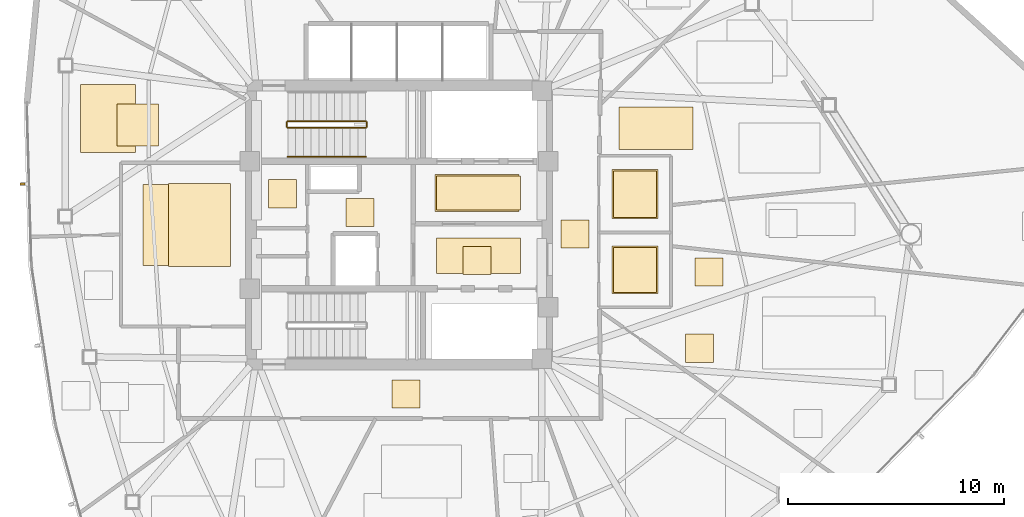
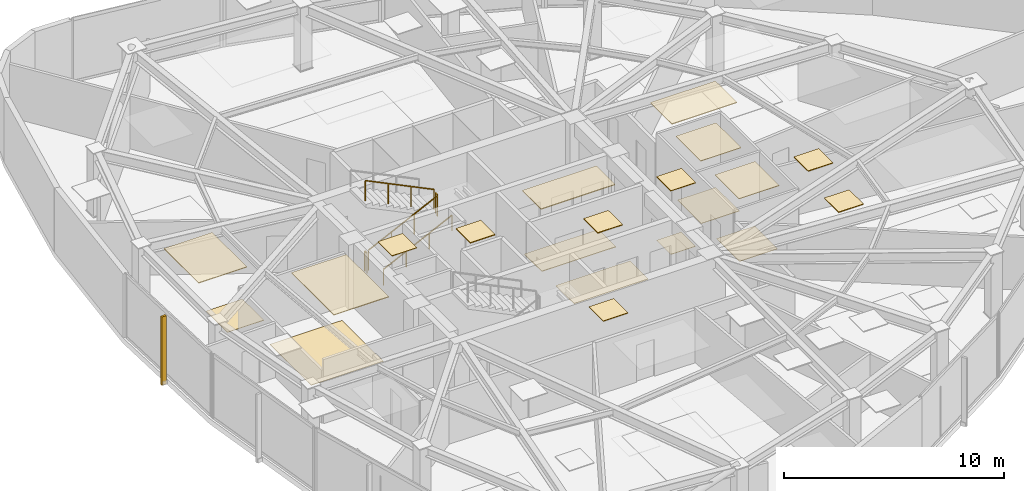
# One storey, part 16 of 18: 20 coverings, 5 railings, 1 shading device.
"""IFC4 building model written with IfcOpenShell, lengths in metres."""

from ifc_helpers import new_model, si_unit, direction, frame, origin, origin_2d, place, context, subcontext, project, spatial, polyline, rectangle, outline, extrude, source, transform, mapped, material, layer, layer_set, type_object, type_shapes, element, save


model = new_model("IFC4")

# Units and contexts
model_context = context("Model", 3, precision=1e-05, world=origin(), true_north=direction((0.0, 1.0)))
body_context = subcontext(model_context, "Body", "Model", "MODEL_VIEW")
ifc_project = project(units=[si_unit("LENGTHUNIT", "METRE"), si_unit("AREAUNIT", "SQUARE_METRE"), si_unit("VOLUMEUNIT", "CUBIC_METRE"), si_unit("PLANEANGLEUNIT", "RADIAN"), si_unit("MASSUNIT", "GRAM", prefix="KILO")], contexts=[model_context])

# Site, building, storey
site_placement = place(None, origin())
site = spatial("IfcSite", under=ifc_project, at=site_placement, CompositionType="ELEMENT")
building_placement = place(site_placement, origin())
building = spatial("IfcBuilding", under=site, at=building_placement, Name="Tavelor Broadcast Tower", CompositionType="ELEMENT")
storey_placement = place(building_placement, frame((0.0, 0.0, 181.050048828125)))
storey = spatial("IfcBuildingStorey", under=building, at=storey_placement, Name="L43", CompositionType="ELEMENT", Elevation=181.050048828125)

# Coverings
ifc_material_1 = material(Name="Copper-Bronze Anodized Aluminium", Category="aluminium")
ifc_layer_1 = layer(ifc_material_1, 0.044921875)
ifc_layer_set_1 = layer_set([ifc_layer_1], Name="Copper-Bronze Anodized Aluminium")
covering_type_1 = type_object("IfcCoveringType", Name="Anodised Bronze Linear Slatted Concourse Ceiling 45 mm", PredefinedType="CEILING", material=ifc_layer_set_1)
covering_1_placement = place(storey_placement, frame((0.0, 0.0, 3.5048828125)))
element("IfcCovering", 1, at=covering_1_placement, inside=storey, type_object=covering_type_1, Name="L43 Suspended Acoustic Ceiling 1781", PredefinedType="CEILING", context=body_context, shape_type="SweptSolid", body=[
    extrude(outline(polyline([(51.659912109375, 45.6318359375), (55.55712890625, 45.6318359375), (55.55712890625, 47.328125), (51.659912109375, 47.328125), (51.659912109375, 45.6318359375)])), origin(), (0.0, 0.0, 1.0), 0.045166015625),
])
covering_2_placement = place(storey_placement, frame((0.0, 0.0, 3.5048828125)))
element("IfcCovering", 2, at=covering_2_placement, inside=storey, type_object=covering_type_1, Name="L43 Suspended Acoustic Ceiling 1782", PredefinedType="CEILING", context=body_context, shape_type="SweptSolid", body=[
    extrude(outline(polyline([(52.95361328125, 42.705078125), (54.25341796875, 42.705078125), (54.25341796875, 44.0048828125), (52.95361328125, 44.0048828125), (52.95361328125, 42.705078125)])), origin(), (0.0, 0.0, 1.0), 0.045166015625),
])
covering_3_placement = place(storey_placement, frame((0.0, 0.0, 3.5048828125)))
element("IfcCovering", 3, at=covering_3_placement, inside=storey, type_object=covering_type_1, Name="L43 Suspended Acoustic Ceiling 1783", PredefinedType="CEILING", context=body_context, shape_type="SweptSolid", body=[
    extrude(outline(polyline([(47.544921875, 44.919921875), (48.844970703125, 44.919921875), (48.844970703125, 46.219970703125), (47.544921875, 46.219970703125), (47.544921875, 44.919921875)])), origin(), (0.0, 0.0, 1.0), 0.045166015625),
])

# Railing
ifc_material_2 = material(Name="Steel S355", Category="steel")
railing_type_1 = type_object("IfcRailingType", Name="Continuous Brushed Stainless Handrail 900 mm", PredefinedType="HANDRAIL", material=ifc_material_2)
railing_1_placement = place(storey_placement, frame((44.85009765625, 48.14990234375, 0.175048828125)))
element("IfcRailing", 4, at=railing_1_placement, inside=storey, type_object=railing_type_1, Name="L43 ST1 stair handrail 1", PredefinedType="HANDRAIL", context=body_context, shape_type="SweptSolid", body=[
    extrude(rectangle(XDim=0.048095703125, YDim=0.048095703125, at=origin_2d()), frame((0.0, 0.0, 0.8759765625), z_axis=(0.899360859046, 0.0, 0.437207096483), x_axis=(0.0, 1.0, 0.0)), (0.0, 0.0, 1.0), 4.002685546875),
    extrude(rectangle(XDim=0.0419921875, YDim=0.0419921875, at=origin_2d()), origin(), (0.0, 0.0, 1.0), 0.851806640625),
    extrude(rectangle(XDim=0.0419921875, YDim=0.0419921875, at=origin_2d()), frame((1.199951171875, 0.0, 0.583251953125)), (0.0, 0.0, 1.0), 0.851806640625),
    extrude(rectangle(XDim=0.0419921875, YDim=0.0419921875, at=origin_2d()), frame((2.39990234375, 0.0, 1.166748046875)), (0.0, 0.0, 1.0), 0.851806640625),
    extrude(rectangle(XDim=0.0419921875, YDim=0.0419921875, at=origin_2d()), frame((3.599853515625, 0.0, 1.75)), (0.0, 0.0, 1.0), 0.851806640625),
])

# Coverings
ifc_material_3 = material(Name="Architectural Anodized Aluminium", Category="aluminium")
ifc_layer_2 = layer(ifc_material_3, 0.034912109375)
ifc_layer_set_2 = layer_set([ifc_layer_2], Name="Architectural Anodized Aluminium")
covering_type_2 = type_object("IfcCoveringType", Name="Demountable Metal Tile Corridor Ceiling 35 mm", PredefinedType="CEILING", material=ifc_layer_set_2)
covering_4_placement = place(storey_placement, frame((0.0, 0.0, 3.514892578125)))
element("IfcCovering", 5, at=covering_4_placement, inside=storey, type_object=covering_type_2, Name="L43 Suspended Acoustic Ceiling 1785", PredefinedType="CEILING", context=body_context, shape_type="SweptSolid", body=[
    extrude(outline(polyline([(57.489990234375, 43.925048828125), (58.7900390625, 43.925048828125), (58.7900390625, 45.22509765625), (57.489990234375, 45.22509765625), (57.489990234375, 43.925048828125)])), origin(), (0.0, 0.0, 1.0), 0.03515625),
])
covering_5_placement = place(storey_placement, frame((0.0, 0.0, 3.514892578125)))
element("IfcCovering", 6, at=covering_5_placement, inside=storey, type_object=covering_type_2, Name="L43 Suspended Acoustic Ceiling 1786", PredefinedType="CEILING", context=body_context, shape_type="SweptSolid", body=[
    extrude(outline(polyline([(49.6748046875, 36.52490234375), (50.974609375, 36.52490234375), (50.974609375, 37.824951171875), (49.6748046875, 37.824951171875), (49.6748046875, 36.52490234375)])), origin(), (0.0, 0.0, 1.0), 0.03515625),
])
ifc_material_4 = material(Name="Acoustic Nylon Carpet Tile")
ifc_layer_3 = layer(ifc_material_4, 0.02001953125)
ifc_layer_set_3 = layer_set([ifc_layer_3], Name="Acoustic Nylon Carpet Tile")
covering_type_3 = type_object("IfcCoveringType", Name="Heavy-Duty Acoustic Broadcast Carpet Tile 20 mm", PredefinedType="FLOORING", material=ifc_layer_set_3)
covering_6_placement = place(storey_placement, origin())
element("IfcCovering", 7, at=covering_6_placement, inside=storey, type_object=covering_type_3, Name="L43 Broadcast Floor Finish 0636", PredefinedType="FLOORING", context=body_context, shape_type="SweptSolid", body=[
    extrude(outline(polyline([(57.489990234375, 43.925048828125), (58.7900390625, 43.925048828125), (58.7900390625, 45.22509765625), (57.489990234375, 45.22509765625), (57.489990234375, 43.925048828125)])), origin(), (0.0, 0.0, 1.0), 0.02001953125),
])
covering_7_placement = place(storey_placement, origin())
element("IfcCovering", 8, at=covering_7_placement, inside=storey, type_object=covering_type_3, Name="L43 Broadcast Floor Finish 0637", PredefinedType="FLOORING", context=body_context, shape_type="SweptSolid", body=[
    extrude(outline(polyline([(38.15771484375, 43.12890625), (41.942138671875, 43.12890625), (41.942138671875, 46.87060546875), (38.15771484375, 46.87060546875), (38.15771484375, 43.12890625)])), origin(), (0.0, 0.0, 1.0), 0.02001953125),
])
covering_8_placement = place(storey_placement, origin())
element("IfcCovering", 9, at=covering_8_placement, inside=storey, type_object=covering_type_3, Name="L43 Broadcast Floor Finish 0645", PredefinedType="FLOORING", context=body_context, shape_type="SweptSolid", body=[
    extrude(outline(polyline([(36.96044921875, 48.655029296875), (38.8662109375, 48.655029296875), (38.8662109375, 50.59619140625), (36.96044921875, 50.59619140625), (36.96044921875, 48.655029296875)])), origin(), (0.0, 0.0, 1.0), 0.02001953125),
])
ifc_material_5 = material(Name="Honed Natural Limestone Tile", Category="masonry")
ifc_layer_4 = layer(ifc_material_5, 0.030029296875)
ifc_layer_set_4 = layer_set([ifc_layer_4], Name="Honed Natural Limestone Tile")
covering_type_4 = type_object("IfcCoveringType", Name="Honed Jerusalem Limestone Concourse Flooring 30 mm", PredefinedType="FLOORING", material=ifc_layer_set_4)
covering_9_placement = place(storey_placement, origin())
element("IfcCovering", 10, at=covering_9_placement, inside=storey, type_object=covering_type_4, Name="L43 Broadcast Floor Finish 0634", PredefinedType="FLOORING", context=body_context, shape_type="SweptSolid", body=[
    extrude(outline(polyline([(51.7373046875, 45.689453125), (55.62255859375, 45.689453125), (55.62255859375, 47.2705078125), (51.7373046875, 47.2705078125), (51.7373046875, 45.689453125)])), origin(), (0.0, 0.0, 1.0), 0.030029296875),
])
covering_10_placement = place(storey_placement, origin())
element("IfcCovering", 11, at=covering_10_placement, inside=storey, type_object=covering_type_4, Name="L43 Broadcast Floor Finish 0635", PredefinedType="FLOORING", context=body_context, shape_type="SweptSolid", body=[
    extrude(outline(polyline([(51.728759765625, 42.743408203125), (55.62109375, 42.743408203125), (55.62109375, 44.396484375), (51.728759765625, 44.396484375), (51.728759765625, 42.743408203125)])), origin(), (0.0, 0.0, 1.0), 0.030029296875),
])
ifc_layer_5 = layer(ifc_material_3, 0.030029296875)
ifc_layer_set_5 = layer_set([ifc_layer_5], Name="Architectural Anodized Aluminium")
covering_type_5 = type_object("IfcCoveringType", Name="Moisture-Resistant Washroom Ceiling 30 mm", PredefinedType="CEILING", material=ifc_layer_set_5)
covering_11_placement = place(storey_placement, frame((0.0, 0.0, 3.52001953125)))
element("IfcCovering", 12, at=covering_11_placement, inside=storey, type_object=covering_type_5, Name="L43 Suspended Acoustic Ceiling 1784", PredefinedType="CEILING", context=body_context, shape_type="SweptSolid", body=[
    extrude(outline(polyline([(43.951416015625, 45.794921875), (45.25146484375, 45.794921875), (45.25146484375, 47.094970703125), (43.951416015625, 47.094970703125), (43.951416015625, 45.794921875)])), origin(), (0.0, 0.0, 1.0), 0.030029296875),
])
covering_12_placement = place(storey_placement, frame((0.0, 0.0, 3.52001953125)))
element("IfcCovering", 13, at=covering_12_placement, inside=storey, type_object=covering_type_5, Name="L43 Suspended Acoustic Ceiling 1788", PredefinedType="CEILING", context=body_context, shape_type="SweptSolid", body=[
    extrude(outline(polyline([(59.85302734375, 41.828369140625), (61.967041015625, 41.828369140625), (61.967041015625, 44.021484375), (59.85302734375, 44.021484375), (59.85302734375, 41.828369140625)])), origin(), (0.0, 0.0, 1.0), 0.030029296875),
])
covering_13_placement = place(storey_placement, frame((0.0, 0.0, 3.52001953125)))
element("IfcCovering", 14, at=covering_13_placement, inside=storey, type_object=covering_type_5, Name="L43 Suspended Acoustic Ceiling 1789", PredefinedType="CEILING", context=body_context, shape_type="SweptSolid", body=[
    extrude(outline(polyline([(59.85302734375, 45.29248046875), (61.967041015625, 45.29248046875), (61.967041015625, 47.5576171875), (59.85302734375, 47.5576171875), (59.85302734375, 45.29248046875)])), origin(), (0.0, 0.0, 1.0), 0.030029296875),
])
ifc_material_6 = material(Name="Slip-Resistant Porcelain Tile")
ifc_layer_6 = layer(ifc_material_6, 0.02490234375)
ifc_layer_set_6 = layer_set([ifc_layer_6], Name="Slip-Resistant Porcelain Tile")
covering_type_6 = type_object("IfcCoveringType", Name="Slip-Resistant Porcelain Wet-Area Floor Tile 25 mm", PredefinedType="FLOORING", material=ifc_layer_set_6)
covering_14_placement = place(storey_placement, origin())
element("IfcCovering", 15, at=covering_14_placement, inside=storey, type_object=covering_type_6, Name="L43 Broadcast Floor Finish 0638", PredefinedType="FLOORING", context=body_context, shape_type="SweptSolid", body=[
    extrude(outline(polyline([(59.91064453125, 41.885986328125), (61.909423828125, 41.885986328125), (61.909423828125, 43.964111328125), (59.91064453125, 43.964111328125), (59.91064453125, 41.885986328125)])), origin(), (0.0, 0.0, 1.0), 0.02490234375),
])
covering_15_placement = place(storey_placement, origin())
element("IfcCovering", 16, at=covering_15_placement, inside=storey, type_object=covering_type_6, Name="L43 Broadcast Floor Finish 0639", PredefinedType="FLOORING", context=body_context, shape_type="SweptSolid", body=[
    extrude(outline(polyline([(59.91064453125, 45.35009765625), (61.909423828125, 45.35009765625), (61.909423828125, 47.5), (59.91064453125, 47.5), (59.91064453125, 45.35009765625)])), origin(), (0.0, 0.0, 1.0), 0.02490234375),
])

# Railings
railing_type_2 = type_object("IfcRailingType", Name="Stairwell Steel Safety Guardrail 1150 mm", PredefinedType="GUARDRAIL", material=ifc_material_2)
railing_2_placement = place(storey_placement, frame((44.85009765625, 49.5, 0.175048828125)))
element("IfcRailing", 17, at=railing_2_placement, inside=storey, type_object=railing_type_2, Name="L43 ST1 stair guard 1", PredefinedType="GUARDRAIL", context=body_context, shape_type="SweptSolid", body=[
    extrude(rectangle(XDim=0.048095703125, YDim=0.048095703125, at=origin_2d()), frame((0.0, 0.0, 1.1259765625), z_axis=(0.899360859046, 0.0, 0.437207096483), x_axis=(0.0, 1.0, 0.0)), (0.0, 0.0, 1.0), 4.002685546875),
    extrude(rectangle(XDim=0.0419921875, YDim=0.0419921875, at=origin_2d()), origin(), (0.0, 0.0, 1.0), 1.101806640625),
    extrude(rectangle(XDim=0.0419921875, YDim=0.0419921875, at=origin_2d()), frame((1.199951171875, 0.0, 0.583251953125)), (0.0, 0.0, 1.0), 1.101806640625),
    extrude(rectangle(XDim=0.0419921875, YDim=0.0419921875, at=origin_2d()), frame((2.39990234375, 0.0, 1.166748046875)), (0.0, 0.0, 1.0), 1.101806640625),
    extrude(rectangle(XDim=0.0419921875, YDim=0.0419921875, at=origin_2d()), frame((3.599853515625, 0.0, 1.75)), (0.0, 0.0, 1.0), 1.101806640625),
])
railing_3_placement = place(storey_placement, frame((48.5, 49.550048828125, 1.925048828125)))
element("IfcRailing", 18, at=railing_3_placement, inside=storey, type_object=railing_type_2, Name="L43 ST1 stair guard 2", PredefinedType="GUARDRAIL", context=body_context, shape_type="SweptSolid", body=[
    extrude(rectangle(XDim=0.048095703125, YDim=0.048095703125, at=origin_2d()), frame((0.0, 0.0, 1.1259765625), z_axis=(0.0, 1.0, 0.0), x_axis=(-1.0, 0.0, 0.0)), (0.0, 0.0, 1.0), 0.199951171875),
    extrude(rectangle(XDim=0.0419921875, YDim=0.0419921875, at=origin_2d()), origin(), (0.0, 0.0, 1.0), 1.101806640625),
    extrude(rectangle(XDim=0.0419921875, YDim=0.0419921875, at=origin_2d()), frame((0.0, 0.199951171875, 0.0)), (0.0, 0.0, 1.0), 1.101806640625),
])
railing_4_placement = place(storey_placement, frame((48.449951171875, 49.800048828125, 2.099853515625)))
element("IfcRailing", 19, at=railing_4_placement, inside=storey, type_object=railing_type_2, Name="L43 ST1 stair guard 3", PredefinedType="GUARDRAIL", context=body_context, shape_type="SweptSolid", body=[
    extrude(rectangle(XDim=0.048095703125, YDim=0.048095703125, at=origin_2d()), frame((0.0, 0.0, 1.1259765625), z_axis=(-0.899360859046, 0.0, 0.437207096483), x_axis=(0.0, -1.0, 0.0)), (0.0, 0.0, 1.0), 4.002685546875),
    extrude(rectangle(XDim=0.0419921875, YDim=0.0419921875, at=origin_2d()), origin(), (0.0, 0.0, 1.0), 1.101806640625),
    extrude(rectangle(XDim=0.0419921875, YDim=0.0419921875, at=origin_2d()), frame((-1.199951171875, 0.0, 0.583251953125)), (0.0, 0.0, 1.0), 1.101806640625),
    extrude(rectangle(XDim=0.0419921875, YDim=0.0419921875, at=origin_2d()), frame((-2.39990234375, 0.0, 1.166748046875)), (0.0, 0.0, 1.0), 1.101806640625),
    extrude(rectangle(XDim=0.0419921875, YDim=0.0419921875, at=origin_2d()), frame((-3.599853515625, 0.0, 1.75)), (0.0, 0.0, 1.0), 1.101806640625),
])
railing_5_placement = place(storey_placement, frame((44.800048828125, 49.550048828125, 0.0)))
element("IfcRailing", 20, at=railing_5_placement, inside=storey, type_object=railing_type_2, Name="L43 ST1 stair guard 4", PredefinedType="GUARDRAIL", context=body_context, shape_type="SweptSolid", body=[
    extrude(rectangle(XDim=0.048095703125, YDim=0.048095703125, at=origin_2d()), frame((0.0, 0.0, 1.1259765625), z_axis=(0.0, 1.0, 0.0), x_axis=(-1.0, 0.0, 0.0)), (0.0, 0.0, 1.0), 0.199951171875),
    extrude(rectangle(XDim=0.0419921875, YDim=0.0419921875, at=origin_2d()), origin(), (0.0, 0.0, 1.0), 1.101806640625),
    extrude(rectangle(XDim=0.0419921875, YDim=0.0419921875, at=origin_2d()), frame((0.0, 0.199951171875, 0.0)), (0.0, 0.0, 1.0), 1.101806640625),
])

# Coverings
ifc_material_7 = material(Name="Acoustic Mineral Fibre Tile")
ifc_layer_7 = layer(ifc_material_7, 0.0400390625)
ifc_layer_set_7 = layer_set([ifc_layer_7], Name="Acoustic Mineral Fibre Tile")
covering_type_7 = type_object("IfcCoveringType", Name="Suspended Acoustic Mineral-Fibre Office Ceiling 40 mm", PredefinedType="CEILING", material=ifc_layer_set_7)
covering_16_placement = place(storey_placement, frame((0.0, 0.0, 3.510009765625)))
element("IfcCovering", 21, at=covering_16_placement, inside=storey, type_object=covering_type_7, Name="L43 Suspended Acoustic Ceiling 1787", PredefinedType="CEILING", context=body_context, shape_type="SweptSolid", body=[
    extrude(outline(polyline([(39.321533203125, 43.0712890625), (42.198486328125, 43.0712890625), (42.198486328125, 46.927978515625), (39.321533203125, 46.927978515625), (39.321533203125, 43.0712890625)])), origin(), (0.0, 0.0, 1.0), 0.0400390625),
])
covering_17_placement = place(storey_placement, frame((0.0, 0.0, 3.510009765625)))
element("IfcCovering", 22, at=covering_17_placement, inside=storey, type_object=covering_type_7, Name="L43 Suspended Acoustic Ceiling 1803", PredefinedType="CEILING", context=body_context, shape_type="SweptSolid", body=[
    extrude(outline(polyline([(35.262451171875, 48.340087890625), (37.79638671875, 48.340087890625), (37.79638671875, 51.48828125), (35.262451171875, 51.48828125), (35.262451171875, 48.340087890625)])), origin(), (0.0, 0.0, 1.0), 0.0400390625),
])
covering_18_placement = place(storey_placement, frame((0.0, 0.0, 3.510009765625)))
element("IfcCovering", 23, at=covering_18_placement, inside=storey, type_object=covering_type_7, Name="L43 Suspended Acoustic Ceiling 1814", PredefinedType="CEILING", context=body_context, shape_type="SweptSolid", body=[
    extrude(outline(polyline([(60.178955078125, 48.490478515625), (63.59228515625, 48.490478515625), (63.59228515625, 50.44580078125), (60.178955078125, 50.44580078125), (60.178955078125, 48.490478515625)])), origin(), (0.0, 0.0, 1.0), 0.0400390625),
])
covering_19_placement = place(storey_placement, frame((0.0, 0.0, 3.510009765625)))
element("IfcCovering", 24, at=covering_19_placement, inside=storey, type_object=covering_type_7, Name="L43 Suspended Acoustic Ceiling 1822", PredefinedType="CEILING", context=body_context, shape_type="SweptSolid", body=[
    extrude(outline(polyline([(63.24658203125, 38.648193359375), (64.546630859375, 38.648193359375), (64.546630859375, 39.9482421875), (63.24658203125, 39.9482421875), (63.24658203125, 38.648193359375)])), origin(), (0.0, 0.0, 1.0), 0.0400390625),
])
covering_20_placement = place(storey_placement, frame((0.0, 0.0, 3.510009765625)))
element("IfcCovering", 25, at=covering_20_placement, inside=storey, type_object=covering_type_7, Name="L43 Suspended Acoustic Ceiling 1823", PredefinedType="CEILING", context=body_context, shape_type="SweptSolid", body=[
    extrude(outline(polyline([(63.677001953125, 42.16455078125), (64.976806640625, 42.16455078125), (64.976806640625, 43.464599609375), (63.677001953125, 43.464599609375), (63.677001953125, 42.16455078125)])), origin(), (0.0, 0.0, 1.0), 0.0400390625),
])

# Shading device
ifc_material_8 = material(Name="Kiln-Fired Glazed Terracotta", Category="masonry")
shading_device_type = type_object("IfcShadingDeviceType", Name="Extruded Terracotta Baguette Sun-Screen 110x240", PredefinedType="JALOUSIE", material=ifc_material_8)
shared_shape = source(origin(), body_context, "Body", "SweptSolid", [
    extrude(rectangle(XDim=0.110107421875, YDim=0.239990234375, at=origin_2d()), origin(), (0.0, 0.0, 1.0), 3.7900390625),
])
type_shapes(shading_device_type, [shared_shape])
shading_device_placement = place(storey_placement, frame((32.584228515625, 46.894287109375, -0.260009765625), z_axis=(0.0, 0.0, 1.0), x_axis=(0.02827056677, -0.99960030765, 0.0)))
element("IfcShadingDevice", 26, at=shading_device_placement, inside=storey, type_object=shading_device_type, Name="L43 Terracotta Baguette Fin 445", PredefinedType="JALOUSIE", context=body_context, shape_type="MappedRepresentation", body=[
    mapped(shared_shape, transform((0.0, 0.0, 0.0), scale=1.0)),
])

save(model, "model.ifc")
